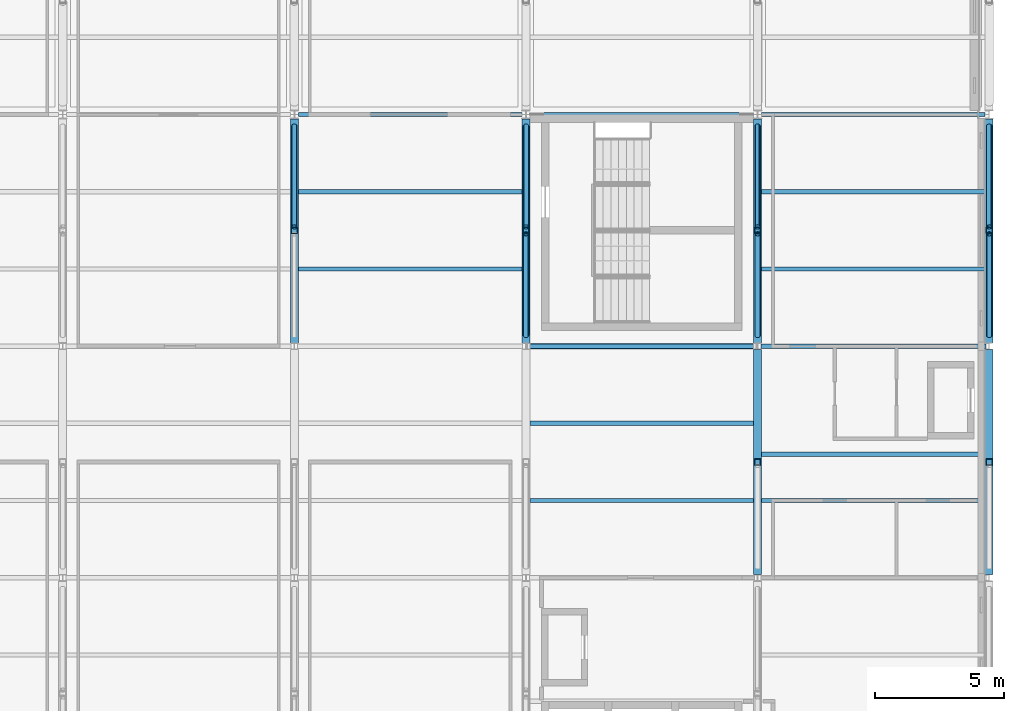
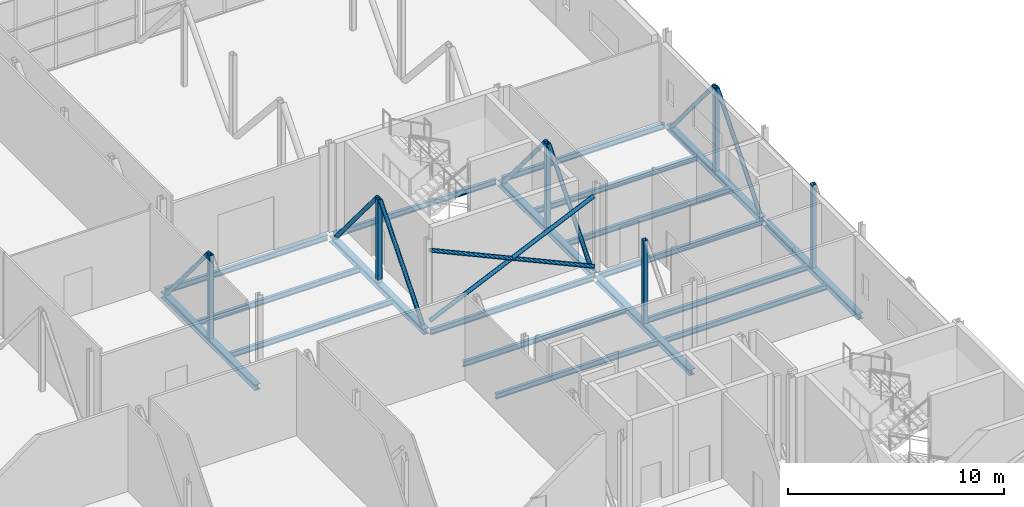
# One storey, part 60 of 94: 19 beams, 15 members.
"""IFC4 building model written with IfcOpenShell, lengths in metres."""

from ifc_helpers import new_model, si_unit, direction, frame, origin, origin_2d, place, context, subcontext, project, spatial, hollow_rectangle, hollow_circle, i_section, extrude, material, material_profile, profile_set, type_object, element, save


model = new_model("IFC4")

# Units and contexts
model_context = context("Model", 3, precision=1e-05, world=origin(), true_north=direction((0.0, 1.0)))
body_context = subcontext(model_context, "Body", "Model", "MODEL_VIEW")
ifc_project = project(units=[si_unit("LENGTHUNIT", "METRE"), si_unit("AREAUNIT", "SQUARE_METRE"), si_unit("VOLUMEUNIT", "CUBIC_METRE"), si_unit("PLANEANGLEUNIT", "RADIAN"), si_unit("MASSUNIT", "GRAM", prefix="KILO")], contexts=[model_context])

# Site, building, storey
site_placement = place(None, origin())
site = spatial("IfcSite", under=ifc_project, at=site_placement, CompositionType="ELEMENT")
building_placement = place(site_placement, origin())
building = spatial("IfcBuilding", under=site, at=building_placement, Name="Shorebreak Coast Museum", CompositionType="ELEMENT")
storey_placement = place(building_placement, frame((0.0, 0.0, 31.0)))
storey = spatial("IfcBuildingStorey", under=building, at=storey_placement, Name="L05", CompositionType="ELEMENT", Elevation=31.0)

# Beams
ifc_material_1 = material(Name="Steel Grade 300", Category="steel")
ifc_material_profile_1 = material_profile(ifc_material_1, i_section(OverallWidth=0.166015625, OverallDepth=0.30712890625, WebThickness=0.006591796875, FlangeThickness=0.01171875, FilletRadius=0.011474609375, at=origin_2d()), Name="310UB46.2")
ifc_profile_set_1 = profile_set([ifc_material_profile_1], Name="Steel Grade 300")
beam_type_1 = type_object("IfcBeamType", Name="Floor girder east-west 310UB46.2", PredefinedType="BEAM", material=ifc_profile_set_1)
for number, where, z_axis, x_axis, name in (
    (1, (99.1279296875, 108.0, -0.32861328125), (1.0, 0.0, 0.0), (0.0, 1.0, 0.0), "Floor girder east-west L05 12N"),
    (2, (108.1279296875, 108.0, -0.32861328125), (1.0, 0.0, 0.0), (0.0, 1.0, 0.0), "Floor girder east-west L05 13N"),
):
    element("IfcBeam", number, at=place(storey_placement, frame(where, z_axis=z_axis, x_axis=x_axis)), inside=storey, type_object=beam_type_1, Name=name, PredefinedType="BEAM", context=body_context, shape_type="SweptSolid", body=[
        extrude(i_section(OverallWidth=0.166015625, OverallDepth=0.30712890625, WebThickness=0.006591796875, FlangeThickness=0.01171875, FilletRadius=0.011474609375, at=origin_2d()), origin(), (0.0, 0.0, 1.0), 8.744140625),
    ])
for number, where, z_axis, x_axis, name in (
    (3, (90.155517578125, 117.0, -0.32861328125), (1.0, 0.0, 0.0), (0.0, 1.0, 0.0), "Floor girder east-west L05 11P"),
    (4, (99.155517578125, 117.0, -0.32861328125), (1.0, 0.0, 0.0), (0.0, 1.0, 0.0), "Floor girder east-west L05 12P"),
    (5, (108.155517578125, 117.0, -0.32861328125), (1.0, 0.0, 0.0), (0.0, 1.0, 0.0), "Floor girder east-west L05 13P"),
):
    element("IfcBeam", number, at=place(storey_placement, frame(where, z_axis=z_axis, x_axis=x_axis)), inside=storey, type_object=beam_type_1, Name=name, PredefinedType="BEAM", context=body_context, shape_type="SweptSolid", body=[
        extrude(i_section(OverallWidth=0.166015625, OverallDepth=0.30712890625, WebThickness=0.006591796875, FlangeThickness=0.01171875, FilletRadius=0.011474609375, at=origin_2d()), origin(), (0.0, 0.0, 1.0), 8.68896484375),
    ])
ifc_material_2 = material(Name="Steel Grade 300", Category="steel")
ifc_material_profile_2 = material_profile(ifc_material_2, i_section(OverallWidth=0.1650390625, OverallDepth=0.303955078125, WebThickness=0.006103515625, FlangeThickness=0.01025390625, FilletRadius=0.011474609375, at=origin_2d()), Name="310UB40.4")
ifc_profile_set_2 = profile_set([ifc_material_profile_2], Name="Steel Grade 300")
beam_type_2 = type_object("IfcBeamType", Name="Floor joist 310UB40.4", PredefinedType="JOIST", material=ifc_profile_set_2)
for number, where, z_axis, x_axis, name in (
    (6, (99.155517578125, 102.0, -0.326904296875), (1.0, 0.0, 0.0), (0.0, 1.0, 0.0), "Floor joist L05 bay 12M at 3000 mm"),
    (7, (99.155517578125, 105.0, -0.326904296875), (1.0, 0.0, 0.0), (0.0, 1.0, 0.0), "Floor joist L05 bay 12M at 6000 mm"),
    (8, (108.155517578125, 102.0, -0.326904296875), (1.0, 0.0, 0.0), (0.0, 1.0, 0.0), "Floor joist L05 bay 13M at 3000 mm"),
    (9, (108.155517578125, 103.800048828125, -0.326904296875), (1.0, 0.0, 0.0), (0.0, 1.0, 0.0), "Floor joist L05 bay 13M at 4800 mm"),
    (10, (90.155517578125, 111.0, -0.326904296875), (1.0, 0.0, 0.0), (0.0, 1.0, 0.0), "Floor joist L05 bay 11N at 3000 mm"),
    (11, (90.155517578125, 114.0, -0.326904296875), (1.0, 0.0, 0.0), (0.0, 1.0, 0.0), "Floor joist L05 bay 11N at 6000 mm"),
    (12, (108.155517578125, 111.0, -0.326904296875), (1.0, 0.0, 0.0), (0.0, 1.0, 0.0), "Floor joist L05 bay 13N at 3000 mm"),
    (13, (108.155517578125, 114.0, -0.326904296875), (1.0, 0.0, 0.0), (0.0, 1.0, 0.0), "Floor joist L05 bay 13N at 6000 mm"),
):
    element("IfcBeam", number, at=place(storey_placement, frame(where, z_axis=z_axis, x_axis=x_axis)), inside=storey, type_object=beam_type_2, Name=name, PredefinedType="JOIST", context=body_context, shape_type="SweptSolid", body=[
        extrude(i_section(OverallWidth=0.1650390625, OverallDepth=0.303955078125, WebThickness=0.006103515625, FlangeThickness=0.01025390625, FilletRadius=0.011474609375, at=origin_2d()), origin(), (0.0, 0.0, 1.0), 8.68896484375),
    ])
ifc_material_3 = material(Name="Steel Grade 300", Category="steel")
ifc_material_profile_3 = material_profile(ifc_material_3, i_section(OverallWidth=0.31103515625, OverallDepth=0.3271484375, WebThickness=0.015625, FlangeThickness=0.02490234375, FilletRadius=0.0166015625, at=origin_2d()), Name="310UC158")
ifc_profile_set_3 = profile_set([ifc_material_profile_3], Name="Steel Grade 300")
beam_type_3 = type_object("IfcBeamType", Name="Transfer truss chord 310UC158", PredefinedType="BEAM", material=ifc_profile_set_3)
for number, where, z_axis, x_axis, name in (
    (14, (90.0, 108.1298828125, -0.338623046875), (0.0, 1.0, 0.0), (-1.0, 0.0, 0.0), "Transfer truss TR5 chord C03"),
    (15, (99.0, 108.1298828125, -0.338623046875), (0.0, 1.0, 0.0), (-1.0, 0.0, 0.0), "Transfer truss TR6 chord C03"),
):
    element("IfcBeam", number, at=place(storey_placement, frame(where, z_axis=z_axis, x_axis=x_axis)), inside=storey, type_object=beam_type_3, Name=name, PredefinedType="BEAM", context=body_context, shape_type="SweptSolid", body=[
        extrude(i_section(OverallWidth=0.31103515625, OverallDepth=0.3271484375, WebThickness=0.015625, FlangeThickness=0.02490234375, FilletRadius=0.0166015625, at=origin_2d()), origin(), (0.0, 0.0, 1.0), 8.70654296875),
    ])
beam_1_placement = place(storey_placement, frame((108.0, 99.1298828125, -0.338623046875), z_axis=(0.0, 1.0, 0.0), x_axis=(-1.0, 0.0, 0.0)))
element("IfcBeam", 16, at=beam_1_placement, inside=storey, type_object=beam_type_3, Name="Transfer truss TR7 chord C02", PredefinedType="BEAM", context=body_context, shape_type="SweptSolid", body=[
    extrude(i_section(OverallWidth=0.31103515625, OverallDepth=0.3271484375, WebThickness=0.015625, FlangeThickness=0.02490234375, FilletRadius=0.0166015625, at=origin_2d()), origin(), (0.0, 0.0, 1.0), 8.740234375),
])
beam_2_placement = place(storey_placement, frame((108.0, 108.1298828125, -0.338623046875), z_axis=(0.0, 1.0, 0.0), x_axis=(-1.0, 0.0, 0.0)))
element("IfcBeam", 17, at=beam_2_placement, inside=storey, type_object=beam_type_3, Name="Transfer truss TR7 chord C03", PredefinedType="BEAM", context=body_context, shape_type="SweptSolid", body=[
    extrude(i_section(OverallWidth=0.31103515625, OverallDepth=0.3271484375, WebThickness=0.015625, FlangeThickness=0.02490234375, FilletRadius=0.0166015625, at=origin_2d()), origin(), (0.0, 0.0, 1.0), 8.70654296875),
])
beam_3_placement = place(storey_placement, frame((117.0, 99.1298828125, -0.338623046875), z_axis=(0.0, 1.0, 0.0), x_axis=(-1.0, 0.0, 0.0)))
element("IfcBeam", 18, at=beam_3_placement, inside=storey, type_object=beam_type_3, Name="Transfer truss TR8 chord C02", PredefinedType="BEAM", context=body_context, shape_type="SweptSolid", body=[
    extrude(i_section(OverallWidth=0.31103515625, OverallDepth=0.3271484375, WebThickness=0.015625, FlangeThickness=0.02490234375, FilletRadius=0.0166015625, at=origin_2d()), origin(), (0.0, 0.0, 1.0), 8.740234375),
])
beam_4_placement = place(storey_placement, frame((117.0, 108.1298828125, -0.338623046875), z_axis=(0.0, 1.0, 0.0), x_axis=(-1.0, 0.0, 0.0)))
element("IfcBeam", 19, at=beam_4_placement, inside=storey, type_object=beam_type_3, Name="Transfer truss TR8 chord C03", PredefinedType="BEAM", context=body_context, shape_type="SweptSolid", body=[
    extrude(i_section(OverallWidth=0.31103515625, OverallDepth=0.3271484375, WebThickness=0.015625, FlangeThickness=0.02490234375, FilletRadius=0.0166015625, at=origin_2d()), origin(), (0.0, 0.0, 1.0), 8.70654296875),
])

# Members
ifc_material_4 = material(Name="Steel Grade C350L0", Category="steel")
ifc_material_profile_4 = material_profile(ifc_material_4, hollow_circle(Radius=0.109619140625, WallThickness=0.00830078125, at=origin_2d()), Name="219.1x8.2 CHS")
ifc_profile_set_4 = profile_set([ifc_material_profile_4], Name="Steel Grade C350L0")
member_type_1 = type_object("IfcMemberType", Name="Transfer truss diagonal 219.1x8.2 CHS", PredefinedType="BRACE", material=ifc_profile_set_4)
member_1_placement = place(storey_placement, frame((90.0, 116.549560546875, -0.175048828125), z_axis=(0.0, -0.641729837353, 0.76693077644), x_axis=(1.0, 0.0, 0.0)))
element("IfcMember", 20, at=member_1_placement, inside=storey, type_object=member_type_1, Name="Transfer truss TR5 diagonal D05", PredefinedType="BRACE", context=body_context, shape_type="SweptSolid", body=[
    extrude(hollow_circle(Radius=0.109619140625, WallThickness=0.00830078125, at=origin_2d()), origin(), (0.0, 0.0, 1.0), 6.1015625),
])
member_2_placement = place(storey_placement, frame((99.0, 108.41796875, -0.175048828125), z_axis=(0.0, 0.644727508452, 0.764412480174), x_axis=(-1.0, 0.0, 0.0)))
element("IfcMember", 21, at=member_2_placement, inside=storey, type_object=member_type_1, Name="Transfer truss TR6 diagonal D04", PredefinedType="BRACE", context=body_context, shape_type="SweptSolid", body=[
    extrude(hollow_circle(Radius=0.109619140625, WallThickness=0.00830078125, at=origin_2d()), origin(), (0.0, 0.0, 1.0), 6.12158203125),
])
member_3_placement = place(storey_placement, frame((99.0, 116.549560546875, -0.175048828125), z_axis=(0.0, -0.641729837353, 0.76693077644), x_axis=(1.0, 0.0, 0.0)))
element("IfcMember", 22, at=member_3_placement, inside=storey, type_object=member_type_1, Name="Transfer truss TR6 diagonal D05", PredefinedType="BRACE", context=body_context, shape_type="SweptSolid", body=[
    extrude(hollow_circle(Radius=0.109619140625, WallThickness=0.00830078125, at=origin_2d()), origin(), (0.0, 0.0, 1.0), 6.1015625),
])
member_4_placement = place(storey_placement, frame((108.0, 108.41796875, -0.175048828125), z_axis=(0.0, 0.644727508452, 0.764412480174), x_axis=(-1.0, 0.0, 0.0)))
element("IfcMember", 23, at=member_4_placement, inside=storey, type_object=member_type_1, Name="Transfer truss TR7 diagonal D04", PredefinedType="BRACE", context=body_context, shape_type="SweptSolid", body=[
    extrude(hollow_circle(Radius=0.109619140625, WallThickness=0.00830078125, at=origin_2d()), origin(), (0.0, 0.0, 1.0), 6.12158203125),
])
member_5_placement = place(storey_placement, frame((108.0, 116.549560546875, -0.175048828125), z_axis=(0.0, -0.641729837353, 0.76693077644), x_axis=(1.0, 0.0, 0.0)))
element("IfcMember", 24, at=member_5_placement, inside=storey, type_object=member_type_1, Name="Transfer truss TR7 diagonal D05", PredefinedType="BRACE", context=body_context, shape_type="SweptSolid", body=[
    extrude(hollow_circle(Radius=0.109619140625, WallThickness=0.00830078125, at=origin_2d()), origin(), (0.0, 0.0, 1.0), 6.1015625),
])
member_6_placement = place(storey_placement, frame((117.0, 108.41796875, -0.175048828125), z_axis=(0.0, 0.644727508452, 0.764412480174), x_axis=(-1.0, 0.0, 0.0)))
element("IfcMember", 25, at=member_6_placement, inside=storey, type_object=member_type_1, Name="Transfer truss TR8 diagonal D04", PredefinedType="BRACE", context=body_context, shape_type="SweptSolid", body=[
    extrude(hollow_circle(Radius=0.109619140625, WallThickness=0.00830078125, at=origin_2d()), origin(), (0.0, 0.0, 1.0), 6.12158203125),
])
member_7_placement = place(storey_placement, frame((117.0, 116.549560546875, -0.175048828125), z_axis=(0.0, -0.641729837353, 0.76693077644), x_axis=(1.0, 0.0, 0.0)))
element("IfcMember", 26, at=member_7_placement, inside=storey, type_object=member_type_1, Name="Transfer truss TR8 diagonal D05", PredefinedType="BRACE", context=body_context, shape_type="SweptSolid", body=[
    extrude(hollow_circle(Radius=0.109619140625, WallThickness=0.00830078125, at=origin_2d()), origin(), (0.0, 0.0, 1.0), 6.1015625),
])
ifc_material_5 = material(Name="Steel Grade C450L0", Category="steel")
ifc_material_profile_5 = material_profile(ifc_material_5, hollow_rectangle(XDim=0.25, YDim=0.25, WallThickness=0.012451171875, InnerFilletRadius=0.018798828125, OuterFilletRadius=0.03125, at=origin_2d()), Name="250x250x12.5 SHS")
ifc_profile_set_5 = profile_set([ifc_material_profile_5], Name="Steel Grade C450L0")
member_type_2 = type_object("IfcMemberType", Name="Transfer truss strut 250x250x12.5 SHS", PredefinedType="STRUT", material=ifc_profile_set_5)
for number, where, z_axis, x_axis, name in (
    (27, (90.0, 112.5, -0.175048828125), (0.0, 0.0, 1.0), (1.0, 0.0, 0.0), "Transfer truss TR5 strut V03"),
    (28, (99.0, 112.5, -0.175048828125), (0.0, 0.0, 1.0), (1.0, 0.0, 0.0), "Transfer truss TR6 strut V03"),
    (29, (108.0, 103.5, -0.175048828125), (0.0, 0.0, 1.0), (1.0, 0.0, 0.0), "Transfer truss TR7 strut V02"),
    (30, (108.0, 112.5, -0.175048828125), (0.0, 0.0, 1.0), (1.0, 0.0, 0.0), "Transfer truss TR7 strut V03"),
    (31, (117.0, 103.5, -0.175048828125), (0.0, 0.0, 1.0), (1.0, 0.0, 0.0), "Transfer truss TR8 strut V02"),
    (32, (117.0, 112.5, -0.175048828125), (0.0, 0.0, 1.0), (1.0, 0.0, 0.0), "Transfer truss TR8 strut V03"),
):
    element("IfcMember", number, at=place(storey_placement, frame(where, z_axis=z_axis, x_axis=x_axis)), inside=storey, type_object=member_type_2, Name=name, PredefinedType="STRUT", context=body_context, shape_type="SweptSolid", body=[
        extrude(hollow_rectangle(XDim=0.25, YDim=0.25, WallThickness=0.012451171875, InnerFilletRadius=0.018798828125, OuterFilletRadius=0.03125, at=origin_2d()), origin(), (0.0, 0.0, 1.0), 4.679443359375),
    ])
ifc_material_6 = material(Name="Steel Grade C350L0", Category="steel")
ifc_material_profile_6 = material_profile(ifc_material_6, hollow_circle(Radius=0.109619140625, WallThickness=0.00830078125, at=origin_2d()), Name="219.1x8.2 CHS")
ifc_profile_set_6 = profile_set([ifc_material_profile_6], Name="Steel Grade C350L0")
member_type_3 = type_object("IfcMemberType", Name="X-brace 219.1x8.2 CHS", PredefinedType="BRACE", material=ifc_profile_set_6)
for number, where, z_axis, x_axis, name in (
    (33, (99.126953125, 108.0, 0.300048828125), (0.910391714608, 0.0, 0.413747418087), (0.0, 1.0, 0.0), "X-brace bay 11 L05 diagonal 1"),
    (34, (107.873046875, 108.0, 0.300048828125), (-0.910391714608, 0.0, 0.413747418087), (0.0, -1.0, 0.0), "X-brace bay 11 L05 diagonal 2"),
):
    element("IfcMember", number, at=place(storey_placement, frame(where, z_axis=z_axis, x_axis=x_axis)), inside=storey, type_object=member_type_3, Name=name, PredefinedType="BRACE", context=body_context, shape_type="SweptSolid", body=[
        extrude(hollow_circle(Radius=0.109619140625, WallThickness=0.00830078125, at=origin_2d()), origin(), (0.0, 0.0, 1.0), 9.60693359375),
    ])

save(model, "model.ifc")
